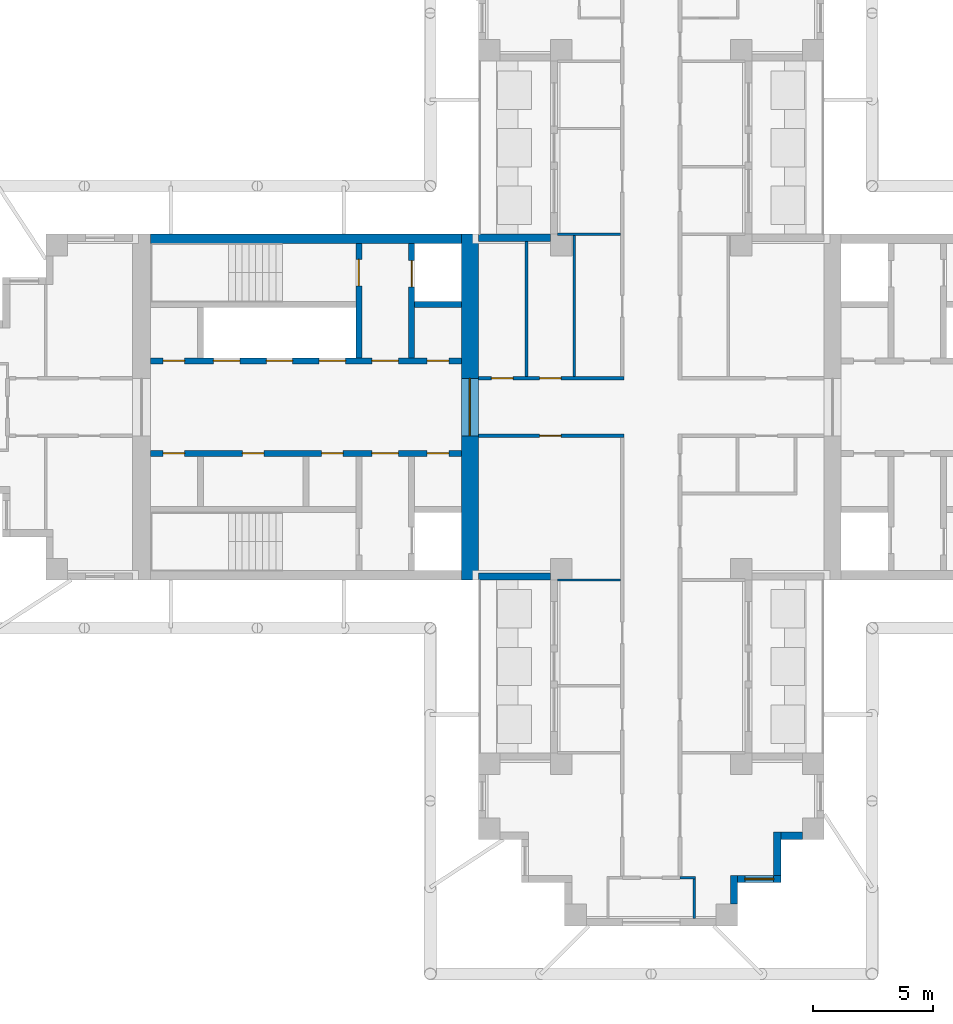
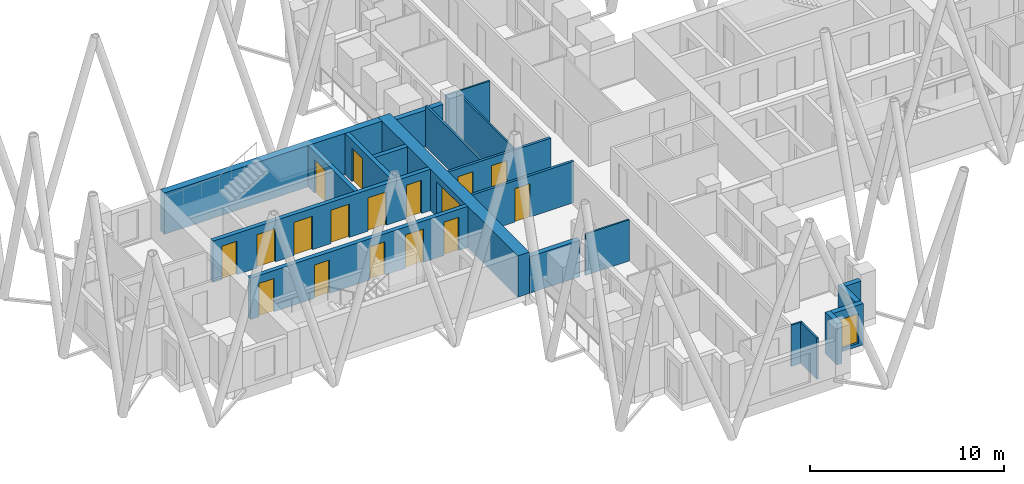
# One storey, part 4 of 11: 21 walls, 17 doors, 1 window, 18 openings.
"""IFC4 building model written with IfcOpenShell, lengths in metres."""

from ifc_helpers import new_model, si_unit, direction, frame, frame_2d, origin, place, context, subcontext, project, spatial, rectangle, extrude, material, layer, layer_set, type_object, element, fill, save


model = new_model("IFC4")

# Units and contexts
model_context = context("Model", 3, precision=1e-05, world=origin(), true_north=direction((0.0, 1.0)))
body_context = subcontext(model_context, "Body", "Model", "MODEL_VIEW")
ifc_project = project(units=[si_unit("LENGTHUNIT", "METRE"), si_unit("AREAUNIT", "SQUARE_METRE"), si_unit("VOLUMEUNIT", "CUBIC_METRE"), si_unit("PLANEANGLEUNIT", "RADIAN"), si_unit("MASSUNIT", "GRAM", prefix="KILO")], contexts=[model_context])

# Site, building, storey
site_placement = place(None, origin())
site = spatial("IfcSite", under=ifc_project, at=site_placement, CompositionType="ELEMENT")
building_placement = place(site_placement, origin())
building = spatial("IfcBuilding", under=site, at=building_placement, Name="Fustian Cross Tower", CompositionType="ELEMENT")
storey_placement = place(building_placement, frame((0.0, 0.0, 210.89990234375)))
storey = spatial("IfcBuildingStorey", under=building, at=storey_placement, Name="L66", CompositionType="ELEMENT", Elevation=210.89990234375)

# Wall, opening, door
ifc_material_1 = material(Name="Plasterboard on steel stud", Category="steel")
ifc_layer_1 = layer(ifc_material_1, 0.14990234375)
ifc_layer_set_1 = layer_set([ifc_layer_1], Name="Plasterboard on steel stud")
wall_type_1 = type_object("IfcWallType", Name="COMPARTMENT WALL 150 EI 60", PredefinedType="PARTITIONING", material=ifc_layer_set_1)
wall_1_placement = place(storey_placement, frame((-7.199951171875, -1.199951171875, 0.0), z_axis=(0.0, 0.0, 1.0), x_axis=(1.0, 0.0, 0.0)))
wall_1 = element("IfcWall", 1, at=wall_1_placement, inside=storey, type_object=wall_type_1, Name="Partition 10", PredefinedType="PARTITIONING", context=body_context, shape_type="SweptSolid", body=[
    extrude(rectangle(XDim=6.074951171875, YDim=0.14990234375, at=frame_2d((3.03759765625, 0.0))), origin(), (0.0, 0.0, 1.0), 2.60009765625),
])
opening_1_placement = place(wall_1_placement, frame((2.550048828125, 0.0, 0.0)))
opening_1 = element("IfcOpeningElement", 2, at=opening_1_placement, cuts=wall_1, Name="Opening D30009", PredefinedType="OPENING", context=body_context, shape_type="SweptSolid", body=[
    extrude(rectangle(XDim=0.89990234375, YDim=2.10009765625, at=frame_2d((0.449951171875, 1.050048828125))), frame((0.0, 0.0849609375, 0.0), z_axis=(0.0, -1.0, 0.0), x_axis=(1.0, 0.0, 0.0)), (0.0, 0.0, 1.0), 0.169921875),
])
ifc_material_2 = material(Name="Timber fire door set", Category="wood")
door_type_1 = type_object("IfcDoorType", Name="FIRE SWING DOOR 900 FD30S", OperationType="SINGLE_SWING_LEFT", PredefinedType="DOOR", material=ifc_material_2)
door_1_placement = place(opening_1_placement, frame((0.89990234375, 0.0, 0.0), z_axis=(0.0, 0.0, 1.0), x_axis=(-1.0, 0.0, 0.0)))
door_1 = element("IfcDoor", 3, at=door_1_placement, inside=storey, type_object=door_type_1, Name="Door D30009", OperationType="SINGLE_SWING_RIGHT", OverallHeight=2.10009765625, OverallWidth=0.89990234375, PredefinedType="DOOR", context=body_context, shape_type="SweptSolid", body=[
    extrude(rectangle(XDim=0.89990234375, YDim=2.10009765625, at=frame_2d((0.449951171875, 1.050048828125))), frame((0.0, 0.02490234375, 0.0), z_axis=(0.0, -1.0, 0.0), x_axis=(1.0, 0.0, 0.0)), (0.0, 0.0, 1.0), 0.050048828125),
])
fill(opening_1, door_1)

# Wall, openings, doors
wall_2_placement = place(storey_placement, frame((-7.199951171875, 1.199951171875, 0.0), z_axis=(0.0, 0.0, 1.0), x_axis=(1.0, 0.0, 0.0)))
wall_2 = element("IfcWall", 4, at=wall_2_placement, inside=storey, type_object=wall_type_1, Name="Partition 11", PredefinedType="PARTITIONING", context=body_context, shape_type="SweptSolid", body=[
    extrude(rectangle(XDim=6.074951171875, YDim=0.14990234375, at=frame_2d((3.03759765625, 0.0))), origin(), (0.0, 0.0, 1.0), 2.60009765625),
])
opening_2_placement = place(wall_2_placement, frame((2.550048828125, 0.0, 0.0)))
opening_2 = element("IfcOpeningElement", 5, at=opening_2_placement, cuts=wall_2, Name="Opening D30004", PredefinedType="OPENING", context=body_context, shape_type="SweptSolid", body=[
    extrude(rectangle(XDim=0.89990234375, YDim=2.10009765625, at=frame_2d((0.449951171875, 1.050048828125))), frame((0.0, 0.0849609375, 0.0), z_axis=(0.0, -1.0, 0.0), x_axis=(1.0, 0.0, 0.0)), (0.0, 0.0, 1.0), 0.169921875),
])
opening_3_placement = place(wall_2_placement, frame((0.550048828125, 0.0, 0.0)))
opening_3 = element("IfcOpeningElement", 6, at=opening_3_placement, cuts=wall_2, Name="Opening D30005", PredefinedType="OPENING", context=body_context, shape_type="SweptSolid", body=[
    extrude(rectangle(XDim=0.89990234375, YDim=2.10009765625, at=frame_2d((0.449951171875, 1.050048828125))), frame((0.0, 0.0849609375, 0.0), z_axis=(0.0, -1.0, 0.0), x_axis=(1.0, 0.0, 0.0)), (0.0, 0.0, 1.0), 0.169921875),
])
door_2_placement = place(opening_2_placement, origin())
door_2 = element("IfcDoor", 7, at=door_2_placement, inside=storey, type_object=door_type_1, Name="Door D30004", OperationType="SINGLE_SWING_LEFT", OverallHeight=2.10009765625, OverallWidth=0.89990234375, PredefinedType="DOOR", context=body_context, shape_type="SweptSolid", body=[
    extrude(rectangle(XDim=0.89990234375, YDim=2.10009765625, at=frame_2d((0.449951171875, 1.050048828125))), frame((0.0, 0.02490234375, 0.0), z_axis=(0.0, -1.0, 0.0), x_axis=(1.0, 0.0, 0.0)), (0.0, 0.0, 1.0), 0.050048828125),
])
fill(opening_2, door_2)
door_3_placement = place(opening_3_placement, origin())
door_3 = element("IfcDoor", 8, at=door_3_placement, inside=storey, type_object=door_type_1, Name="Door D30005", OperationType="SINGLE_SWING_LEFT", OverallHeight=2.10009765625, OverallWidth=0.89990234375, PredefinedType="DOOR", context=body_context, shape_type="SweptSolid", body=[
    extrude(rectangle(XDim=0.89990234375, YDim=2.10009765625, at=frame_2d((0.449951171875, 1.050048828125))), frame((0.0, 0.02490234375, 0.0), z_axis=(0.0, -1.0, 0.0), x_axis=(1.0, 0.0, 0.0)), (0.0, 0.0, 1.0), 0.050048828125),
])
fill(opening_3, door_3)

# Wall, opening, door
ifc_material_3 = material(Name="Concrete C50/60", Category="concrete")
ifc_layer_2 = layer(ifc_material_3, 0.699951171875)
ifc_layer_set_2 = layer_set([ifc_layer_2], Name="Concrete C50/60")
wall_type_2 = type_object("IfcWallType", Name="CORE END WALL 700 C50/60", PredefinedType="SHEAR", material=ifc_layer_set_2)
wall_3_placement = place(storey_placement, frame((-7.550048828125, -7.199951171875, 0.0), z_axis=(0.0, 0.0, 1.0), x_axis=(0.0, 1.0, 0.0)))
wall_3 = element("IfcWall", 9, at=wall_3_placement, inside=storey, type_object=wall_type_2, Name="Core end wall", PredefinedType="SHEAR", context=body_context, shape_type="SweptSolid", body=[
    extrude(rectangle(XDim=14.39990234375, YDim=0.699951171875, at=frame_2d((7.199951171875, 0.0))), origin(), (0.0, 0.0, 1.0), 2.60009765625),
])
opening_4_placement = place(wall_3_placement, frame((6.0, 0.0, 0.0)))
opening_4 = element("IfcOpeningElement", 10, at=opening_4_placement, cuts=wall_3, Name="Opening CD-28-29", PredefinedType="OPENING", context=body_context, shape_type="SweptSolid", body=[
    extrude(rectangle(XDim=2.39990234375, YDim=2.199951171875, at=frame_2d((1.199951171875, 1.10009765625))), frame((0.0, 0.35986328125, 0.0), z_axis=(0.0, -1.0, 0.0), x_axis=(1.0, 0.0, 0.0)), (0.0, 0.0, 1.0), 0.719970703125),
])
ifc_material_4 = material(Name="Steel", Category="steel")
door_type_2 = type_object("IfcDoorType", Name="FIRE DOOR FD30S DOUBLE 2400X2200", OperationType="DOUBLE_DOOR_DOUBLE_SWING", PredefinedType="DOOR", material=ifc_material_4)
door_4_placement = place(opening_4_placement, origin())
door_4 = element("IfcDoor", 11, at=door_4_placement, inside=storey, type_object=door_type_2, Name="Core door CD-28-29", OperationType="DOUBLE_DOOR_DOUBLE_SWING", OverallHeight=2.199951171875, OverallWidth=2.39990234375, PredefinedType="DOOR", context=body_context, shape_type="SweptSolid", body=[
    extrude(rectangle(XDim=2.39990234375, YDim=2.199951171875, at=frame_2d((1.199951171875, 1.10009765625))), frame((0.0, 0.02490234375, 0.0), z_axis=(0.0, -1.0, 0.0), x_axis=(1.0, 0.0, 0.0)), (0.0, 0.0, 1.0), 0.050048828125),
])
fill(opening_4, door_4)

# Wall
ifc_material_5 = material(Name="Concrete C50/60", Category="concrete")
ifc_layer_3 = layer(ifc_material_5, 0.39990234375)
ifc_layer_set_3 = layer_set([ifc_layer_3], Name="Concrete C50/60")
wall_type_3 = type_object("IfcWallType", Name="CORE FACADE WALL 400 C50/60", PredefinedType="SHEAR", material=ifc_layer_set_3)
wall_4_placement = place(storey_placement, frame((-7.89990234375, 7.0, 0.0), z_axis=(0.0, 0.0, 1.0), x_axis=(-1.0, 0.0, 0.0)))
element("IfcWall", 12, at=wall_4_placement, inside=storey, type_object=wall_type_3, Name="Core facade wall", PredefinedType="SHEAR", context=body_context, shape_type="SweptSolid", body=[
    extrude(rectangle(XDim=12.9501953125, YDim=0.39990234375, at=frame_2d((6.47509765625, 0.0))), origin(), (0.0, 0.0, 1.0), 2.60009765625),
])

# Wall, openings, doors
ifc_material_6 = material(Name="Concrete C50/60", Category="concrete")
ifc_layer_4 = layer(ifc_material_6, 0.25)
ifc_layer_set_4 = layer_set([ifc_layer_4], Name="Concrete C50/60")
wall_type_4 = type_object("IfcWallType", Name="CORE LOBBY WALL 250 C50/60", PredefinedType="SHEAR", material=ifc_layer_set_4)
wall_5_placement = place(storey_placement, frame((-7.89990234375, 1.925048828125, 0.0), z_axis=(0.0, 0.0, 1.0), x_axis=(-1.0, 0.0, 0.0)))
wall_5 = element("IfcWall", 13, at=wall_5_placement, inside=storey, type_object=wall_type_4, Name="Core lobby wall", PredefinedType="SHEAR", context=body_context, shape_type="SweptSolid", body=[
    extrude(rectangle(XDim=12.9501953125, YDim=0.25, at=frame_2d((6.47509765625, 0.0))), origin(), (0.0, 0.0, 1.0), 2.60009765625),
])
opening_5_placement = place(wall_5_placement, frame((4.824951171875, 0.0, 0.0)))
opening_5 = element("IfcOpeningElement", 14, at=opening_5_placement, cuts=wall_5, Name="Opening LD", PredefinedType="OPENING", context=body_context, shape_type="SweptSolid", body=[
    extrude(rectangle(XDim=1.10009765625, YDim=2.10009765625, at=frame_2d((0.550048828125, 1.050048828125))), frame((0.0, 0.135009765625, 0.0), z_axis=(0.0, -1.0, 0.0), x_axis=(1.0, 0.0, 0.0)), (0.0, 0.0, 1.0), 0.27001953125),
])
opening_6_placement = place(wall_5_placement, frame((7.02490234375, 0.0, 0.0)))
opening_6 = element("IfcOpeningElement", 15, at=opening_6_placement, cuts=wall_5, Name="Opening LD", PredefinedType="OPENING", context=body_context, shape_type="SweptSolid", body=[
    extrude(rectangle(XDim=1.10009765625, YDim=2.10009765625, at=frame_2d((0.550048828125, 1.050048828125))), frame((0.0, 0.135009765625, 0.0), z_axis=(0.0, -1.0, 0.0), x_axis=(1.0, 0.0, 0.0)), (0.0, 0.0, 1.0), 0.27001953125),
])
opening_7_placement = place(wall_5_placement, frame((9.22509765625, 0.0, 0.0)))
opening_7 = element("IfcOpeningElement", 16, at=opening_7_placement, cuts=wall_5, Name="Opening LD", PredefinedType="OPENING", context=body_context, shape_type="SweptSolid", body=[
    extrude(rectangle(XDim=1.10009765625, YDim=2.10009765625, at=frame_2d((0.550048828125, 1.050048828125))), frame((0.0, 0.135009765625, 0.0), z_axis=(0.0, -1.0, 0.0), x_axis=(1.0, 0.0, 0.0)), (0.0, 0.0, 1.0), 0.27001953125),
])
opening_8_placement = place(wall_5_placement, frame((0.52490234375, 0.0, 0.0)))
opening_8 = element("IfcOpeningElement", 17, at=opening_8_placement, cuts=wall_5, Name="Opening CD-28-25", PredefinedType="OPENING", context=body_context, shape_type="SweptSolid", body=[
    extrude(rectangle(XDim=0.89990234375, YDim=2.10009765625, at=frame_2d((0.449951171875, 1.050048828125))), frame((0.0, 0.135009765625, 0.0), z_axis=(0.0, -1.0, 0.0), x_axis=(1.0, 0.0, 0.0)), (0.0, 0.0, 1.0), 0.27001953125),
])
opening_9_placement = place(wall_5_placement, frame((2.625, 0.0, 0.0)))
opening_9 = element("IfcOpeningElement", 18, at=opening_9_placement, cuts=wall_5, Name="Opening CD-28-27", PredefinedType="OPENING", context=body_context, shape_type="SweptSolid", body=[
    extrude(rectangle(XDim=1.10009765625, YDim=2.10009765625, at=frame_2d((0.550048828125, 1.050048828125))), frame((0.0, 0.135009765625, 0.0), z_axis=(0.0, -1.0, 0.0), x_axis=(1.0, 0.0, 0.0)), (0.0, 0.0, 1.0), 0.27001953125),
])
opening_10_placement = place(wall_5_placement, frame((11.52490234375, 0.0, 0.0)))
opening_10 = element("IfcOpeningElement", 19, at=opening_10_placement, cuts=wall_5, Name="Opening CD-28-31", PredefinedType="OPENING", context=body_context, shape_type="SweptSolid", body=[
    extrude(rectangle(XDim=0.89990234375, YDim=2.10009765625, at=frame_2d((0.449951171875, 1.050048828125))), frame((0.0, 0.135009765625, 0.0), z_axis=(0.0, -1.0, 0.0), x_axis=(1.0, 0.0, 0.0)), (0.0, 0.0, 1.0), 0.27001953125),
])
ifc_material_7 = material(Name="Steel", Category="steel")
door_type_3 = type_object("IfcDoorType", Name="FIRE DOOR FD30S 900X2100", OperationType="SINGLE_SWING_LEFT", PredefinedType="DOOR", material=ifc_material_7)
door_5_placement = place(opening_10_placement, frame((0.89990234375, 0.0, 0.0), z_axis=(0.0, 0.0, 1.0), x_axis=(-1.0, 0.0, 0.0)))
door_5 = element("IfcDoor", 20, at=door_5_placement, inside=storey, type_object=door_type_3, Name="Core door CD-28-31", OperationType="SINGLE_SWING_RIGHT", OverallHeight=2.10009765625, OverallWidth=0.89990234375, PredefinedType="DOOR", context=body_context, shape_type="SweptSolid", body=[
    extrude(rectangle(XDim=0.89990234375, YDim=2.10009765625, at=frame_2d((0.449951171875, 1.050048828125))), frame((0.0, 0.02490234375, 0.0), z_axis=(0.0, -1.0, 0.0), x_axis=(1.0, 0.0, 0.0)), (0.0, 0.0, 1.0), 0.050048828125),
])
fill(opening_10, door_5)
ifc_material_8 = material(Name="Steel", Category="steel")
door_type_4 = type_object("IfcDoorType", Name="FIRE DOOR FD60S 1100X2100", OperationType="SINGLE_SWING_LEFT", PredefinedType="DOOR", material=ifc_material_8)
door_6_placement = place(opening_9_placement, frame((1.10009765625, 0.0, 0.0), z_axis=(0.0, 0.0, 1.0), x_axis=(-1.0, 0.0, 0.0)))
door_6 = element("IfcDoor", 21, at=door_6_placement, inside=storey, type_object=door_type_4, Name="Core door CD-28-27", OperationType="SINGLE_SWING_RIGHT", OverallHeight=2.10009765625, OverallWidth=1.10009765625, PredefinedType="DOOR", context=body_context, shape_type="SweptSolid", body=[
    extrude(rectangle(XDim=1.10009765625, YDim=2.10009765625, at=frame_2d((0.550048828125, 1.050048828125))), frame((0.0, 0.02490234375, 0.0), z_axis=(0.0, -1.0, 0.0), x_axis=(1.0, 0.0, 0.0)), (0.0, 0.0, 1.0), 0.050048828125),
])
fill(opening_9, door_6)
ifc_material_9 = material(Name="Steel", Category="steel")
door_type_5 = type_object("IfcDoorType", Name="FIRE DOOR FD60S 900X2100", OperationType="SINGLE_SWING_LEFT", PredefinedType="DOOR", material=ifc_material_9)
door_7_placement = place(opening_8_placement, frame((0.89990234375, 0.0, 0.0), z_axis=(0.0, 0.0, 1.0), x_axis=(-1.0, 0.0, 0.0)))
door_7 = element("IfcDoor", 22, at=door_7_placement, inside=storey, type_object=door_type_5, Name="Core door CD-28-25", OperationType="SINGLE_SWING_RIGHT", OverallHeight=2.10009765625, OverallWidth=0.89990234375, PredefinedType="DOOR", context=body_context, shape_type="SweptSolid", body=[
    extrude(rectangle(XDim=0.89990234375, YDim=2.10009765625, at=frame_2d((0.449951171875, 1.050048828125))), frame((0.0, 0.02490234375, 0.0), z_axis=(0.0, -1.0, 0.0), x_axis=(1.0, 0.0, 0.0)), (0.0, 0.0, 1.0), 0.050048828125),
])
fill(opening_8, door_7)
ifc_material_10 = material(Name="Stainless steel", Category="steel")
door_type_6 = type_object("IfcDoorType", Name="LIFT LANDING DOOR 1100X2100", OperationType="SLIDING_TO_LEFT", PredefinedType="DOOR", material=ifc_material_10)
door_8_placement = place(opening_5_placement, origin())
door_8 = element("IfcDoor", 23, at=door_8_placement, inside=storey, type_object=door_type_6, Name="Landing door HR1W", OperationType="SLIDING_TO_LEFT", OverallHeight=2.10009765625, OverallWidth=1.10009765625, PredefinedType="DOOR", context=body_context, shape_type="SweptSolid", body=[
    extrude(rectangle(XDim=1.10009765625, YDim=2.10009765625, at=frame_2d((0.550048828125, 1.050048828125))), frame((0.0, 0.02490234375, 0.0), z_axis=(0.0, -1.0, 0.0), x_axis=(1.0, 0.0, 0.0)), (0.0, 0.0, 1.0), 0.050048828125),
])
fill(opening_5, door_8)
door_9_placement = place(opening_6_placement, origin())
door_9 = element("IfcDoor", 24, at=door_9_placement, inside=storey, type_object=door_type_6, Name="Landing door HR2W", OperationType="SLIDING_TO_LEFT", OverallHeight=2.10009765625, OverallWidth=1.10009765625, PredefinedType="DOOR", context=body_context, shape_type="SweptSolid", body=[
    extrude(rectangle(XDim=1.10009765625, YDim=2.10009765625, at=frame_2d((0.550048828125, 1.050048828125))), frame((0.0, 0.02490234375, 0.0), z_axis=(0.0, -1.0, 0.0), x_axis=(1.0, 0.0, 0.0)), (0.0, 0.0, 1.0), 0.050048828125),
])
fill(opening_6, door_9)
door_10_placement = place(opening_7_placement, origin())
door_10 = element("IfcDoor", 25, at=door_10_placement, inside=storey, type_object=door_type_6, Name="Landing door HR3W", OperationType="SLIDING_TO_LEFT", OverallHeight=2.10009765625, OverallWidth=1.10009765625, PredefinedType="DOOR", context=body_context, shape_type="SweptSolid", body=[
    extrude(rectangle(XDim=1.10009765625, YDim=2.10009765625, at=frame_2d((0.550048828125, 1.050048828125))), frame((0.0, 0.02490234375, 0.0), z_axis=(0.0, -1.0, 0.0), x_axis=(1.0, 0.0, 0.0)), (0.0, 0.0, 1.0), 0.050048828125),
])
fill(opening_7, door_10)

wall_6_placement = place(storey_placement, frame((-7.89990234375, -1.925048828125, 0.0), z_axis=(0.0, 0.0, 1.0), x_axis=(-1.0, 0.0, 0.0)))
wall_6 = element("IfcWall", 26, at=wall_6_placement, inside=storey, type_object=wall_type_4, Name="Core lobby wall", PredefinedType="SHEAR", context=body_context, shape_type="SweptSolid", body=[
    extrude(rectangle(XDim=12.9501953125, YDim=0.25, at=frame_2d((6.47509765625, 0.0))), origin(), (0.0, 0.0, 1.0), 2.60009765625),
])
opening_11_placement = place(wall_6_placement, frame((0.52490234375, 0.0, 0.0)))
opening_11 = element("IfcOpeningElement", 27, at=opening_11_placement, cuts=wall_6, Name="Opening CD-28-26", PredefinedType="OPENING", context=body_context, shape_type="SweptSolid", body=[
    extrude(rectangle(XDim=0.89990234375, YDim=2.10009765625, at=frame_2d((0.449951171875, 1.050048828125))), frame((0.0, 0.135009765625, 0.0), z_axis=(0.0, -1.0, 0.0), x_axis=(1.0, 0.0, 0.0)), (0.0, 0.0, 1.0), 0.27001953125),
])
opening_12_placement = place(wall_6_placement, frame((2.625, 0.0, 0.0)))
opening_12 = element("IfcOpeningElement", 28, at=opening_12_placement, cuts=wall_6, Name="Opening CD-28-28", PredefinedType="OPENING", context=body_context, shape_type="SweptSolid", body=[
    extrude(rectangle(XDim=1.10009765625, YDim=2.10009765625, at=frame_2d((0.550048828125, 1.050048828125))), frame((0.0, 0.135009765625, 0.0), z_axis=(0.0, -1.0, 0.0), x_axis=(1.0, 0.0, 0.0)), (0.0, 0.0, 1.0), 0.27001953125),
])
opening_13_placement = place(wall_6_placement, frame((4.925048828125, 0.0, 0.0)))
opening_13 = element("IfcOpeningElement", 29, at=opening_13_placement, cuts=wall_6, Name="Opening CD-28-32", PredefinedType="OPENING", context=body_context, shape_type="SweptSolid", body=[
    extrude(rectangle(XDim=0.89990234375, YDim=2.10009765625, at=frame_2d((0.449951171875, 1.050048828125))), frame((0.0, 0.135009765625, 0.0), z_axis=(0.0, -1.0, 0.0), x_axis=(1.0, 0.0, 0.0)), (0.0, 0.0, 1.0), 0.27001953125),
])
opening_14_placement = place(wall_6_placement, frame((8.22509765625, 0.0, 0.0)))
opening_14 = element("IfcOpeningElement", 30, at=opening_14_placement, cuts=wall_6, Name="Opening CD-28-33", PredefinedType="OPENING", context=body_context, shape_type="SweptSolid", body=[
    extrude(rectangle(XDim=0.89990234375, YDim=2.10009765625, at=frame_2d((0.449951171875, 1.050048828125))), frame((0.0, 0.135009765625, 0.0), z_axis=(0.0, -1.0, 0.0), x_axis=(1.0, 0.0, 0.0)), (0.0, 0.0, 1.0), 0.27001953125),
])
opening_15_placement = place(wall_6_placement, frame((11.52490234375, 0.0, 0.0)))
opening_15 = element("IfcOpeningElement", 31, at=opening_15_placement, cuts=wall_6, Name="Opening CD-28-34", PredefinedType="OPENING", context=body_context, shape_type="SweptSolid", body=[
    extrude(rectangle(XDim=0.89990234375, YDim=2.10009765625, at=frame_2d((0.449951171875, 1.050048828125))), frame((0.0, 0.135009765625, 0.0), z_axis=(0.0, -1.0, 0.0), x_axis=(1.0, 0.0, 0.0)), (0.0, 0.0, 1.0), 0.27001953125),
])
ifc_material_11 = material(Name="Steel", Category="steel")
door_type_7 = type_object("IfcDoorType", Name="FIRE DOOR FD30S 1100X2100", OperationType="SINGLE_SWING_LEFT", PredefinedType="DOOR", material=ifc_material_11)
door_11_placement = place(opening_12_placement, frame((1.10009765625, 0.0, 0.0), z_axis=(0.0, 0.0, 1.0), x_axis=(-1.0, 0.0, 0.0)))
door_11 = element("IfcDoor", 32, at=door_11_placement, inside=storey, type_object=door_type_7, Name="Core door CD-28-28", OperationType="SINGLE_SWING_RIGHT", OverallHeight=2.10009765625, OverallWidth=1.10009765625, PredefinedType="DOOR", context=body_context, shape_type="SweptSolid", body=[
    extrude(rectangle(XDim=1.10009765625, YDim=2.10009765625, at=frame_2d((0.550048828125, 1.050048828125))), frame((0.0, 0.02490234375, 0.0), z_axis=(0.0, -1.0, 0.0), x_axis=(1.0, 0.0, 0.0)), (0.0, 0.0, 1.0), 0.050048828125),
])
fill(opening_12, door_11)
door_12_placement = place(opening_11_placement, origin())
door_12 = element("IfcDoor", 33, at=door_12_placement, inside=storey, type_object=door_type_3, Name="Core door CD-28-26", OperationType="SINGLE_SWING_LEFT", OverallHeight=2.10009765625, OverallWidth=0.89990234375, PredefinedType="DOOR", context=body_context, shape_type="SweptSolid", body=[
    extrude(rectangle(XDim=0.89990234375, YDim=2.10009765625, at=frame_2d((0.449951171875, 1.050048828125))), frame((0.0, 0.02490234375, 0.0), z_axis=(0.0, -1.0, 0.0), x_axis=(1.0, 0.0, 0.0)), (0.0, 0.0, 1.0), 0.050048828125),
])
fill(opening_11, door_12)
door_13_placement = place(opening_13_placement, origin())
door_13 = element("IfcDoor", 34, at=door_13_placement, inside=storey, type_object=door_type_3, Name="Core door CD-28-32", OperationType="SINGLE_SWING_LEFT", OverallHeight=2.10009765625, OverallWidth=0.89990234375, PredefinedType="DOOR", context=body_context, shape_type="SweptSolid", body=[
    extrude(rectangle(XDim=0.89990234375, YDim=2.10009765625, at=frame_2d((0.449951171875, 1.050048828125))), frame((0.0, 0.02490234375, 0.0), z_axis=(0.0, -1.0, 0.0), x_axis=(1.0, 0.0, 0.0)), (0.0, 0.0, 1.0), 0.050048828125),
])
fill(opening_13, door_13)
door_14_placement = place(opening_14_placement, origin())
door_14 = element("IfcDoor", 35, at=door_14_placement, inside=storey, type_object=door_type_3, Name="Core door CD-28-33", OperationType="SINGLE_SWING_RIGHT", OverallHeight=2.10009765625, OverallWidth=0.89990234375, PredefinedType="DOOR", context=body_context, shape_type="SweptSolid", body=[
    extrude(rectangle(XDim=0.89990234375, YDim=2.10009765625, at=frame_2d((0.449951171875, 1.050048828125))), frame((0.0, 0.02490234375, 0.0), z_axis=(0.0, -1.0, 0.0), x_axis=(1.0, 0.0, 0.0)), (0.0, 0.0, 1.0), 0.050048828125),
])
fill(opening_14, door_14)
door_15_placement = place(opening_15_placement, origin())
door_15 = element("IfcDoor", 36, at=door_15_placement, inside=storey, type_object=door_type_3, Name="Core door CD-28-34", OperationType="SINGLE_SWING_LEFT", OverallHeight=2.10009765625, OverallWidth=0.89990234375, PredefinedType="DOOR", context=body_context, shape_type="SweptSolid", body=[
    extrude(rectangle(XDim=0.89990234375, YDim=2.10009765625, at=frame_2d((0.449951171875, 1.050048828125))), frame((0.0, 0.02490234375, 0.0), z_axis=(0.0, -1.0, 0.0), x_axis=(1.0, 0.0, 0.0)), (0.0, 0.0, 1.0), 0.050048828125),
])
fill(opening_15, door_15)

# Wall
ifc_material_12 = material(Name="Concrete C50/60", Category="concrete")
ifc_layer_5 = layer(ifc_material_12, 0.25)
ifc_layer_set_5 = layer_set([ifc_layer_5], Name="Concrete C50/60")
wall_type_5 = type_object("IfcWallType", Name="CORE SHAFT WALL 250 C50/60", PredefinedType="SHEAR", material=ifc_layer_set_5)
wall_7_placement = place(storey_placement, frame((-7.89990234375, 4.27490234375, 0.0), z_axis=(0.0, 0.0, 1.0), x_axis=(-1.0, 0.0, 0.0)))
element("IfcWall", 37, at=wall_7_placement, inside=storey, type_object=wall_type_5, Name="Core shaft wall", PredefinedType="SHEAR", context=body_context, shape_type="SweptSolid", body=[
    extrude(rectangle(XDim=1.9501953125, YDim=0.25, at=frame_2d((0.97509765625, 0.0))), origin(), (0.0, 0.0, 1.0), 2.60009765625),
])

# Wall, opening, door
wall_8_placement = place(storey_placement, frame((-9.97509765625, 2.050048828125, 0.0), z_axis=(0.0, 0.0, 1.0), x_axis=(0.0, 1.0, 0.0)))
wall_8 = element("IfcWall", 38, at=wall_8_placement, inside=storey, type_object=wall_type_5, Name="Core shaft wall", PredefinedType="SHEAR", context=body_context, shape_type="SweptSolid", body=[
    extrude(rectangle(XDim=4.75, YDim=0.25, at=frame_2d((2.375, 0.0))), origin(), (0.0, 0.0, 1.0), 2.60009765625),
])
opening_16_placement = place(wall_8_placement, frame((2.949951171875, 0.0, 0.0)))
opening_16 = element("IfcOpeningElement", 39, at=opening_16_placement, cuts=wall_8, Name="Opening LD", PredefinedType="OPENING", context=body_context, shape_type="SweptSolid", body=[
    extrude(rectangle(XDim=1.10009765625, YDim=2.10009765625, at=frame_2d((0.550048828125, 1.050048828125))), frame((0.0, 0.135009765625, 0.0), z_axis=(0.0, -1.0, 0.0), x_axis=(1.0, 0.0, 0.0)), (0.0, 0.0, 1.0), 0.27001953125),
])
door_16_placement = place(opening_16_placement, origin())
door_16 = element("IfcDoor", 40, at=door_16_placement, inside=storey, type_object=door_type_6, Name="Landing door FL1W", OperationType="SLIDING_TO_LEFT", OverallHeight=2.10009765625, OverallWidth=1.10009765625, PredefinedType="DOOR", context=body_context, shape_type="SweptSolid", body=[
    extrude(rectangle(XDim=1.10009765625, YDim=2.10009765625, at=frame_2d((0.550048828125, 1.050048828125))), frame((0.0, 0.02490234375, 0.0), z_axis=(0.0, -1.0, 0.0), x_axis=(1.0, 0.0, 0.0)), (0.0, 0.0, 1.0), 0.050048828125),
])
fill(opening_16, door_16)

wall_9_placement = place(storey_placement, frame((-12.175048828125, 2.050048828125, 0.0), z_axis=(0.0, 0.0, 1.0), x_axis=(0.0, 1.0, 0.0)))
wall_9 = element("IfcWall", 41, at=wall_9_placement, inside=storey, type_object=wall_type_5, Name="Core shaft wall", PredefinedType="SHEAR", context=body_context, shape_type="SweptSolid", body=[
    extrude(rectangle(XDim=4.75, YDim=0.25, at=frame_2d((2.375, 0.0))), origin(), (0.0, 0.0, 1.0), 2.60009765625),
])
opening_17_placement = place(wall_9_placement, frame((3.0, 0.0, 0.0)))
opening_17 = element("IfcOpeningElement", 42, at=opening_17_placement, cuts=wall_9, Name="Opening CD-28-23", PredefinedType="OPENING", context=body_context, shape_type="SweptSolid", body=[
    extrude(rectangle(XDim=1.10009765625, YDim=2.10009765625, at=frame_2d((0.550048828125, 1.050048828125))), frame((0.0, 0.135009765625, 0.0), z_axis=(0.0, -1.0, 0.0), x_axis=(1.0, 0.0, 0.0)), (0.0, 0.0, 1.0), 0.27001953125),
])
door_17_placement = place(opening_17_placement, origin())
door_17 = element("IfcDoor", 43, at=door_17_placement, inside=storey, type_object=door_type_4, Name="Core door CD-28-23", OperationType="SINGLE_SWING_LEFT", OverallHeight=2.10009765625, OverallWidth=1.10009765625, PredefinedType="DOOR", context=body_context, shape_type="SweptSolid", body=[
    extrude(rectangle(XDim=1.10009765625, YDim=2.10009765625, at=frame_2d((0.550048828125, 1.050048828125))), frame((0.0, 0.02490234375, 0.0), z_axis=(0.0, -1.0, 0.0), x_axis=(1.0, 0.0, 0.0)), (0.0, 0.0, 1.0), 0.050048828125),
])
fill(opening_17, door_17)

# Walls
ifc_material_13 = material(Name="Plasterboard on steel stud", Category="steel")
ifc_layer_6 = layer(ifc_material_13, 0.10009765625)
ifc_layer_set_6 = layer_set([ifc_layer_6], Name="Plasterboard on steel stud")
wall_type_6 = type_object("IfcWallType", Name="PARTITION 100 STUD", PredefinedType="PARTITIONING", material=ifc_layer_set_6)
for number, where, z_axis, x_axis, name in (
    (44, (-3.89990234375, -7.199951171875, 0.0), (0.0, 0.0, 1.0), (1.0, 0.0, 0.0), "Partition 16"),
    (45, (-3.89990234375, 7.199951171875, 0.0), (0.0, 0.0, 1.0), (1.0, 0.0, 0.0), "Partition 17"),
):
    element("IfcWall", number, at=place(storey_placement, frame(where, z_axis=z_axis, x_axis=x_axis)), inside=storey, type_object=wall_type_6, Name=name, PredefinedType="PARTITIONING", context=body_context, shape_type="SweptSolid", body=[
        extrude(rectangle(XDim=2.625, YDim=0.10009765625, at=frame_2d((1.3125, 0.0))), origin(), (0.0, 0.0, 1.0), 2.60009765625),
    ])
wall_10_placement = place(storey_placement, frame((-3.199951171875, 1.27490234375, 0.0), z_axis=(0.0, 0.0, 1.0), x_axis=(0.0, 1.0, 0.0)))
element("IfcWall", 46, at=wall_10_placement, inside=storey, type_object=wall_type_6, Name="Partition 20", PredefinedType="PARTITIONING", context=body_context, shape_type="SweptSolid", body=[
    extrude(rectangle(XDim=5.875, YDim=0.10009765625, at=frame_2d((2.9375, 0.0))), origin(), (0.0, 0.0, 1.0), 2.60009765625),
])
wall_11_placement = place(storey_placement, frame((1.199951171875, -19.60009765625, 0.0), z_axis=(0.0, 0.0, 1.0), x_axis=(1.0, 0.0, 0.0)))
element("IfcWall", 47, at=wall_11_placement, inside=storey, type_object=wall_type_6, Name="Partition 33", PredefinedType="PARTITIONING", context=body_context, shape_type="SweptSolid", body=[
    extrude(rectangle(XDim=0.650146484375, YDim=0.10009765625, at=frame_2d((0.3251953125, 0.0))), origin(), (0.0, 0.0, 1.0), 2.60009765625),
])
wall_12_placement = place(storey_placement, frame((1.800048828125, -21.300048828125, 0.0), z_axis=(0.0, 0.0, 1.0), x_axis=(0.0, 1.0, 0.0)))
element("IfcWall", 48, at=wall_12_placement, inside=storey, type_object=wall_type_6, Name="Partition 46", PredefinedType="PARTITIONING", context=body_context, shape_type="SweptSolid", body=[
    extrude(rectangle(XDim=1.650146484375, YDim=0.10009765625, at=frame_2d((0.8251953125, 0.0))), origin(), (0.0, 0.0, 1.0), 2.60009765625),
])
ifc_material_14 = material(Name="Plasterboard on steel stud", Category="steel")
ifc_layer_7 = layer(ifc_material_14, 0.125)
ifc_layer_set_7 = layer_set([ifc_layer_7], Name="Plasterboard on steel stud")
wall_type_7 = type_object("IfcWallType", Name="WET WALL 125 STUD", PredefinedType="PARTITIONING", material=ifc_layer_set_7)
wall_13_placement = place(storey_placement, frame((-5.199951171875, 1.27490234375, 0.0), z_axis=(0.0, 0.0, 1.0), x_axis=(0.0, 1.0, 0.0)))
element("IfcWall", 49, at=wall_13_placement, inside=storey, type_object=wall_type_7, Name="Partition 12", PredefinedType="PARTITIONING", context=body_context, shape_type="SweptSolid", body=[
    extrude(rectangle(XDim=5.625, YDim=0.125, at=frame_2d((2.8125, 0.0))), origin(), (0.0, 0.0, 1.0), 2.60009765625),
])
ifc_material_15 = material(Name="Dark aluminium cladding on insulated backing wall", Category="aluminium")
ifc_layer_8 = layer(ifc_material_15, 0.300048828125)
ifc_layer_set_8 = layer_set([ifc_layer_8], Name="Dark aluminium cladding on insulated backing wall")
wall_type_8 = type_object("IfcWallType", Name="XW1 EXTERNAL WALL 300", PredefinedType="SOLIDWALL", material=ifc_layer_set_8)
for number, where, z_axis, x_axis, name in (
    (50, (-4.199951171875, 7.050048828125, 0.0), (0.0, 0.0, 1.0), (-1.0, 0.0, 0.0), "External wall"),
    (51, (-7.199951171875, -7.050048828125, 0.0), (0.0, 0.0, 1.0), (1.0, 0.0, 0.0), "External wall"),
):
    element("IfcWall", number, at=place(storey_placement, frame(where, z_axis=z_axis, x_axis=x_axis)), inside=storey, type_object=wall_type_8, Name=name, PredefinedType="SOLIDWALL", context=body_context, shape_type="SweptSolid", body=[
        extrude(rectangle(XDim=3.0, YDim=0.300048828125, at=frame_2d((1.5, 0.0))), origin(), (0.0, 0.0, 1.0), 2.300048828125),
    ])
wall_14_placement = place(storey_placement, frame((3.449951171875, -20.699951171875, 0.0), z_axis=(0.0, 0.0, 1.0), x_axis=(0.0, 1.0, 0.0)))
element("IfcWall", 52, at=wall_14_placement, inside=storey, type_object=wall_type_8, Name="External wall", PredefinedType="SOLIDWALL", context=body_context, shape_type="SweptSolid", body=[
    extrude(rectangle(XDim=1.199951171875, YDim=0.300048828125, at=frame_2d((0.60009765625, 0.0))), origin(), (0.0, 0.0, 1.0), 2.60009765625),
])

# Wall, opening, window
wall_15_placement = place(storey_placement, frame((3.60009765625, -19.64990234375, 0.0), z_axis=(0.0, 0.0, 1.0), x_axis=(1.0, 0.0, 0.0)))
wall_15 = element("IfcWall", 53, at=wall_15_placement, inside=storey, type_object=wall_type_8, Name="External wall", PredefinedType="SOLIDWALL", context=body_context, shape_type="SweptSolid", body=[
    extrude(rectangle(XDim=1.7998046875, YDim=0.300048828125, at=frame_2d((0.89990234375, 0.0))), origin(), (0.0, 0.0, 1.0), 2.60009765625),
])
opening_18_placement = place(wall_15_placement, frame((0.300048828125, 0.0, 0.199951171875)))
opening_18 = element("IfcOpeningElement", 54, at=opening_18_placement, cuts=wall_15, Name="Opening WN3", PredefinedType="OPENING", context=body_context, shape_type="SweptSolid", body=[
    extrude(rectangle(XDim=1.199951171875, YDim=1.85009765625, at=frame_2d((0.60009765625, 0.925048828125))), frame((0.0, 0.159912109375, 0.0), z_axis=(0.0, -1.0, 0.0), x_axis=(1.0, 0.0, 0.0)), (0.0, 0.0, 1.0), 0.320068359375),
])
ifc_material_16 = material(Name="Dark anodised aluminium and double glazing", Category="aluminium")
window_type = type_object("IfcWindowType", Name="WN3 WINDOW 1200X1850", PartitioningType="SINGLE_PANEL", PredefinedType="WINDOW", material=ifc_material_16)
window_placement = place(opening_18_placement, origin())
window = element("IfcWindow", 55, at=window_placement, inside=storey, type_object=window_type, Name="Window", OverallHeight=1.85009765625, OverallWidth=1.199951171875, PartitioningType="SINGLE_PANEL", PredefinedType="WINDOW", context=body_context, shape_type="SweptSolid", body=[
    extrude(rectangle(XDim=1.199951171875, YDim=1.85009765625, at=frame_2d((0.60009765625, 0.925048828125))), frame((0.0, 0.030029296875, 0.0), z_axis=(0.0, -1.0, 0.0), x_axis=(1.0, 0.0, 0.0)), (0.0, 0.0, 1.0), 0.06005859375),
])
fill(opening_18, window)

# Walls
wall_16_placement = place(storey_placement, frame((5.25, -19.5, 0.0), z_axis=(0.0, 0.0, 1.0), x_axis=(0.0, 1.0, 0.0)))
element("IfcWall", 56, at=wall_16_placement, inside=storey, type_object=wall_type_8, Name="External wall", PredefinedType="SOLIDWALL", context=body_context, shape_type="SweptSolid", body=[
    extrude(rectangle(XDim=1.800048828125, YDim=0.300048828125, at=frame_2d((0.89990234375, 0.0))), origin(), (0.0, 0.0, 1.0), 2.60009765625),
])
wall_17_placement = place(storey_placement, frame((5.39990234375, -17.85009765625, 0.0), z_axis=(0.0, 0.0, 1.0), x_axis=(1.0, 0.0, 0.0)))
element("IfcWall", 57, at=wall_17_placement, inside=storey, type_object=wall_type_8, Name="External wall", PredefinedType="SOLIDWALL", context=body_context, shape_type="SweptSolid", body=[
    extrude(rectangle(XDim=0.900146484375, YDim=0.300048828125, at=frame_2d((0.4501953125, 0.0))), origin(), (0.0, 0.0, 1.0), 2.60009765625),
])

save(model, "model.ifc")
